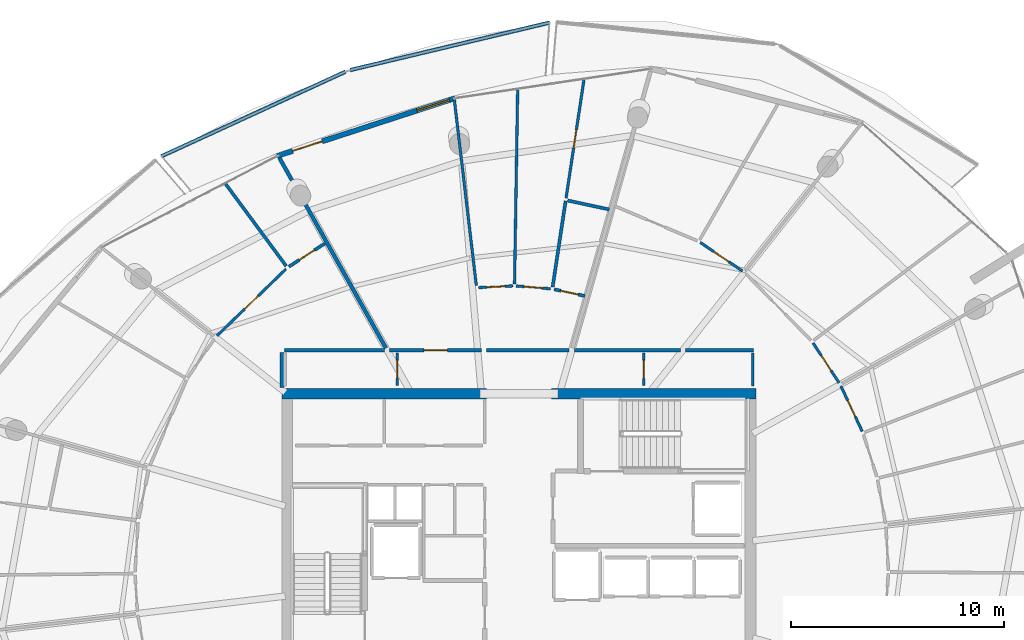
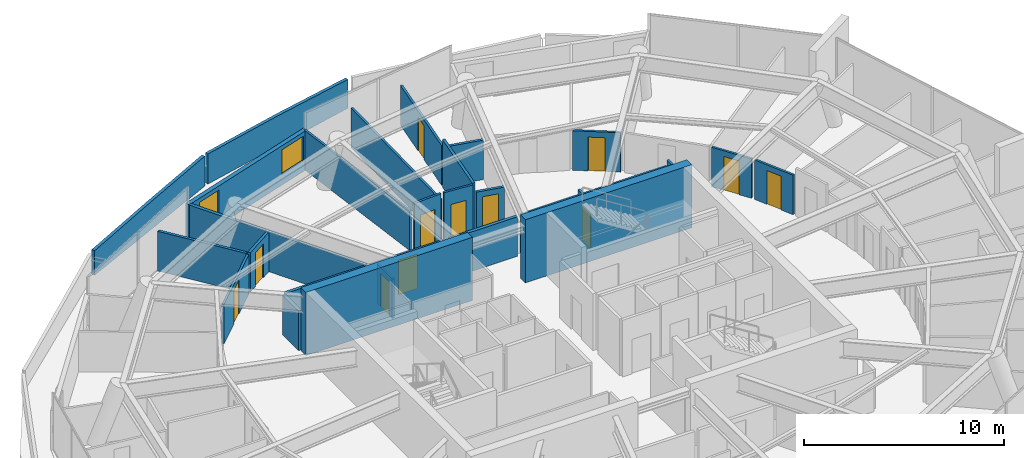
# One storey, part 18 of 24: 29 walls, 13 doors, 1 window, 14 openings.
"""IFC4 building model written with IfcOpenShell, lengths in metres."""

from ifc_helpers import new_model, si_unit, direction, frame, frame_2d, origin, place, context, subcontext, project, spatial, polyline, rectangle, outline, extrude, material, layer, layer_set, type_object, element, fill, save


model = new_model("IFC4")

# Units and contexts
model_context = context("Model", 3, precision=1e-05, world=origin(), true_north=direction((0.0, 1.0)))
body_context = subcontext(model_context, "Body", "Model", "MODEL_VIEW")
ifc_project = project(units=[si_unit("LENGTHUNIT", "METRE"), si_unit("AREAUNIT", "SQUARE_METRE"), si_unit("VOLUMEUNIT", "CUBIC_METRE"), si_unit("PLANEANGLEUNIT", "RADIAN"), si_unit("MASSUNIT", "GRAM", prefix="KILO")], contexts=[model_context])

# Site, building, storey
site_placement = place(None, origin())
site = spatial("IfcSite", under=ifc_project, at=site_placement, CompositionType="ELEMENT")
building_placement = place(site_placement, origin())
building = spatial("IfcBuilding", under=site, at=building_placement, Name="Kazma Halo Residences", CompositionType="ELEMENT")
storey_placement = place(building_placement, frame((0.0, 0.0, 309.85009765625)))
storey = spatial("IfcBuildingStorey", under=building, at=storey_placement, Name="L78", CompositionType="ELEMENT", Elevation=309.85009765625)

# Walls
ifc_material_1 = material(Name="White Concrete C50/60 Balustrade", Category="concrete")
ifc_layer_1 = layer(ifc_material_1, 0.179931640625)
ifc_layer_set_1 = layer_set([ifc_layer_1], Name="White Concrete C50/60 Balustrade")
wall_type_1 = type_object("IfcWallType", Name="WL-BAL-WAVE-180", PredefinedType="PARAPET", material=ifc_layer_set_1)
wall_1_placement = place(storey_placement, frame((49.863525390625, 67.684326171875, 0.0), z_axis=(0.0, 0.0, 1.0), x_axis=(-0.972832619501, -0.231509599012, 0.0)))
element("IfcWall", 1, at=wall_1_placement, inside=storey, type_object=wall_type_1, Name="L78 white wave balustrade wall NNW.1", PredefinedType="PARAPET", context=body_context, shape_type="SweptSolid", body=[
    extrude(outline(polyline([(0.0, 0.0), (9.620849609375, 0.0), (9.620849609375, 1.831787109375), (4.810546875, 1.852783203125), (0.0, 1.755859375), (0.0, 0.0)])), frame((0.0, 0.08984375, 0.0), z_axis=(0.0, -1.0, 0.0), x_axis=(1.0, 0.0, 0.0)), (0.0, 0.0, 1.0), 0.179931640625),
])
wall_2_placement = place(storey_placement, frame((40.2783203125, 65.379150390625, 0.0), z_axis=(0.0, 0.0, 1.0), x_axis=(-0.908633177333, -0.417595197589, 0.0)))
element("IfcWall", 2, at=wall_2_placement, inside=storey, type_object=wall_type_1, Name="L78 white wave balustrade wall NNW.2", PredefinedType="PARAPET", context=body_context, shape_type="SweptSolid", body=[
    extrude(outline(polyline([(0.0, 0.0), (9.517333984375, 0.0), (9.517333984375, 1.496826171875), (4.7587890625, 1.69580078125), (0.0, 1.831787109375), (0.0, 0.0)])), frame((0.0, 0.08984375, 0.0), z_axis=(0.0, -1.0, 0.0), x_axis=(1.0, 0.0, 0.0)), (0.0, 0.0, 1.0), 0.179931640625),
])
ifc_material_2 = material(Name="Concrete C60/75", Category="concrete")
ifc_layer_2 = layer(ifc_material_2, 0.5)
ifc_layer_set_2 = layer_set([ifc_layer_2], Name="Concrete C60/75")
wall_type_2 = type_object("IfcWallType", Name="WL-CORE-500", PredefinedType="SHEAR", material=ifc_layer_set_2)
wall_3_placement = place(storey_placement, frame((37.300048828125, 50.25, 0.0), z_axis=(0.0, 0.0, 1.0), x_axis=(1.0, 0.0, 0.0)))
element("IfcWall", 3, at=wall_3_placement, inside=storey, type_object=wall_type_2, Name="L78 central core shear wall NW", PredefinedType="SHEAR", context=body_context, shape_type="SweptSolid", body=[
    extrude(rectangle(XDim=9.599853515625, YDim=0.5, at=frame_2d((4.7998046875, 0.0))), origin(), (0.0, 0.0, 1.0), 3.849853515625),
])
wall_4_placement = place(storey_placement, frame((49.949951171875, 50.25, 0.0), z_axis=(0.0, 0.0, 1.0), x_axis=(1.0, 0.0, 0.0)))
element("IfcWall", 4, at=wall_4_placement, inside=storey, type_object=wall_type_2, Name="L78 central core shear wall NE", PredefinedType="SHEAR", context=body_context, shape_type="SweptSolid", body=[
    extrude(rectangle(XDim=9.60009765625, YDim=0.5, at=frame_2d((4.800048828125, 0.0))), origin(), (0.0, 0.0, 1.0), 3.849853515625),
])
ifc_material_3 = material(Name="Acoustic Twin-Stud Gypsum")
ifc_layer_3 = layer(ifc_material_3, 0.179931640625)
ifc_layer_set_3 = layer_set([ifc_layer_3], Name="Acoustic Twin-Stud Gypsum")
wall_type_3 = type_object("IfcWallType", Name="WL-DEM-180", PredefinedType="PARTITIONING", material=ifc_layer_set_3)
wall_5_placement = place(storey_placement, frame((42.177978515625, 52.39599609375, 0.0), z_axis=(0.0, 0.0, 1.0), x_axis=(-0.48861353883, 0.872500320729, 0.0)))
element("IfcWall", 5, at=wall_5_placement, inside=storey, type_object=wall_type_3, Name="L78 apartment demising radial wall 04", PredefinedType="PARTITIONING", context=body_context, shape_type="SweptSolid", body=[
    extrude(rectangle(XDim=10.234130859375, YDim=0.179931640625, at=frame_2d((5.1171875, 0.0))), origin(), (0.0, 0.0, 1.0), 2.406982421875),
])

# Wall, opening, door
wall_6_placement = place(storey_placement, frame((46.660888671875, 52.300048828125, 0.0), z_axis=(0.0, 0.0, 1.0), x_axis=(-1.0, 0.0, 0.0)))
wall_6 = element("IfcWall", 6, at=wall_6_placement, inside=storey, type_object=wall_type_3, Name="L78 Apartment 1 entrance corridor wall", PredefinedType="PARTITIONING", context=body_context, shape_type="SweptSolid", body=[
    extrude(rectangle(XDim=4.30908203125, YDim=0.179931640625, at=frame_2d((2.154541015625, 0.0))), origin(), (0.0, 0.0, 1.0), 2.406982421875),
])
opening_1_placement = place(wall_6_placement, frame((1.6044921875, 0.0, 0.0)))
opening_1 = element("IfcOpeningElement", 7, at=opening_1_placement, cuts=wall_6, Name="Opening DA-1100", PredefinedType="OPENING", context=body_context, shape_type="SweptSolid", body=[
    extrude(rectangle(XDim=1.10009765625, YDim=2.10009765625, at=frame_2d((0.550048828125, 1.050048828125))), frame((0.0, 0.099853515625, 0.0), z_axis=(0.0, -1.0, 0.0), x_axis=(1.0, 0.0, 0.0)), (0.0, 0.0, 1.0), 0.199951171875),
])
ifc_material_4 = material(Name="Acoustic Walnut Fire Leaf")
door_type_1 = type_object("IfcDoorType", Name="DR-FD60-1100", OperationType="NOTDEFINED", PredefinedType="DOOR", material=ifc_material_4)
door_1_placement = place(opening_1_placement, origin())
door_1 = element("IfcDoor", 8, at=door_1_placement, inside=storey, type_object=door_type_1, Name="L78 Apartment 1 entrance fire door", OperationType="SINGLE_SWING_RIGHT", OverallHeight=2.10009765625, OverallWidth=1.10009765625, PredefinedType="DOOR", context=body_context, shape_type="SweptSolid", body=[
    extrude(rectangle(XDim=1.10009765625, YDim=2.10009765625, at=frame_2d((0.550048828125, 1.050048828125))), frame((0.0, 0.02490234375, 0.0), z_axis=(0.0, -1.0, 0.0), x_axis=(1.0, 0.0, 0.0)), (0.0, 0.0, 1.0), 0.050048828125),
])
fill(opening_1, door_1)

# Walls
wall_7_placement = place(storey_placement, frame((50.784912109375, 52.300048828125, 0.0), z_axis=(0.0, 0.0, 1.0), x_axis=(-1.0, 0.0, 0.0)))
element("IfcWall", 9, at=wall_7_placement, inside=storey, type_object=wall_type_3, Name="L78 Apartment 1 inner wall 2", PredefinedType="PARTITIONING", context=body_context, shape_type="SweptSolid", body=[
    extrude(rectangle(XDim=3.884033203125, YDim=0.179931640625, at=frame_2d((1.94189453125, 0.0))), origin(), (0.0, 0.0, 1.0), 2.406982421875),
])
wall_8_placement = place(storey_placement, frame((42.11181640625, 52.300048828125, 0.0), z_axis=(0.0, 0.0, 1.0), x_axis=(-1.0, 0.0, 0.0)))
element("IfcWall", 10, at=wall_8_placement, inside=storey, type_object=wall_type_3, Name="L78 Apartment 2 inner wall 4", PredefinedType="PARTITIONING", context=body_context, shape_type="SweptSolid", body=[
    extrude(rectangle(XDim=4.69189453125, YDim=0.179931640625, at=frame_2d((2.345947265625, 0.0))), origin(), (0.0, 0.0, 1.0), 2.406982421875),
])
wall_9_placement = place(storey_placement, frame((37.300048828125, 52.179931640625, 0.0), z_axis=(0.0, 0.0, 1.0), x_axis=(0.0, -1.0, 0.0)))
element("IfcWall", 11, at=wall_9_placement, inside=storey, type_object=wall_type_3, Name="L78 Apartment 2 inner wall 4", PredefinedType="PARTITIONING", context=body_context, shape_type="SweptSolid", body=[
    extrude(rectangle(XDim=1.624755859375, YDim=0.179931640625, at=frame_2d((0.8125, 0.0))), origin(), (0.0, 0.0, 1.0), 2.406982421875),
])
wall_10_placement = place(storey_placement, frame((59.429931640625, 52.300048828125, 0.0), z_axis=(0.0, 0.0, 1.0), x_axis=(-1.0, 0.0, 0.0)))
element("IfcWall", 12, at=wall_10_placement, inside=storey, type_object=wall_type_3, Name="L78 Apartment 4 inner wall 0", PredefinedType="PARTITIONING", context=body_context, shape_type="SweptSolid", body=[
    extrude(rectangle(XDim=3.18994140625, YDim=0.179931640625, at=frame_2d((1.594970703125, 0.0))), origin(), (0.0, 0.0, 1.0), 2.406982421875),
])
wall_11_placement = place(storey_placement, frame((56.0, 52.300048828125, 0.0), z_axis=(0.0, 0.0, 1.0), x_axis=(-1.0, 0.0, 0.0)))
element("IfcWall", 13, at=wall_11_placement, inside=storey, type_object=wall_type_3, Name="L78 Apartment 4 inner wall 1", PredefinedType="PARTITIONING", context=body_context, shape_type="SweptSolid", body=[
    extrude(rectangle(XDim=4.97509765625, YDim=0.179931640625, at=frame_2d((2.487548828125, 0.0))), origin(), (0.0, 0.0, 1.0), 2.406982421875),
])

# Wall, openings, door, window
ifc_material_5 = material(Name="Insulated Pale-Metal Composite Wall")
ifc_layer_4 = layer(ifc_material_5, 0.239990234375)
ifc_layer_set_4 = layer_set([ifc_layer_4], Name="Insulated Pale-Metal Composite Wall")
wall_type_4 = type_object("IfcWallType", Name="WL-EXT-HOST-240", PredefinedType="SOLIDWALL", material=ifc_layer_set_4)
wall_12_placement = place(storey_placement, frame((45.429443359375, 64.135498046875, 0.0), z_axis=(0.0, 0.0, 1.0), x_axis=(-0.951049986024, -0.309037091762, 0.0)))
wall_12 = element("IfcWall", 14, at=wall_12_placement, inside=storey, type_object=wall_type_4, Name="L78 exterior terrace-access wall B04", PredefinedType="SOLIDWALL", context=body_context, shape_type="SweptSolid", body=[
    extrude(rectangle(XDim=8.791259765625, YDim=0.239990234375, at=frame_2d((4.3955078125, 0.0))), origin(), (0.0, 0.0, 1.0), 2.39990234375),
])
opening_2_placement = place(wall_12_placement, frame((6.571044921875, 0.0, 0.0)))
opening_2 = element("IfcOpeningElement", 15, at=opening_2_placement, cuts=wall_12, Name="Opening DTR-1600", PredefinedType="OPENING", context=body_context, shape_type="SweptSolid", body=[
    extrude(rectangle(XDim=1.449951171875, YDim=2.14990234375, at=frame_2d((0.72509765625, 1.074951171875))), frame((0.0, 0.1298828125, 0.0), z_axis=(0.0, -1.0, 0.0), x_axis=(1.0, 0.0, 0.0)), (0.0, 0.0, 1.0), 0.260009765625),
])
opening_3_placement = place(wall_12_placement, frame((0.280029296875, 0.0, 0.64990234375)))
opening_3 = element("IfcOpeningElement", 16, at=opening_3_placement, cuts=wall_12, Name="Opening W-1800", PredefinedType="OPENING", context=body_context, shape_type="SweptSolid", body=[
    extrude(rectangle(XDim=1.60009765625, YDim=1.5, at=frame_2d((0.800048828125, 0.75))), frame((0.0, 0.1298828125, 0.0), z_axis=(0.0, -1.0, 0.0), x_axis=(1.0, 0.0, 0.0)), (0.0, 0.0, 1.0), 0.260009765625),
])
ifc_material_6 = material(Name="Aluminium AW-6063 T6 Double-Glazed Terrace Door", Category="aluminium")
door_type_2 = type_object("IfcDoorType", Name="DR-EXT-TERR-1600", OperationType="NOTDEFINED", PredefinedType="DOOR", material=ifc_material_6)
door_2_placement = place(opening_2_placement, origin())
door_2 = element("IfcDoor", 17, at=door_2_placement, inside=storey, type_object=door_type_2, Name="L78 B04 balcony terrace door", OperationType="DOUBLE_DOOR_SLIDING", OverallHeight=2.14990234375, OverallWidth=1.449951171875, PredefinedType="DOOR", context=body_context, shape_type="SweptSolid", body=[
    extrude(rectangle(XDim=1.449951171875, YDim=2.14990234375, at=frame_2d((0.72509765625, 1.074951171875))), frame((0.0, 0.02490234375, 0.0), z_axis=(0.0, -1.0, 0.0), x_axis=(1.0, 0.0, 0.0)), (0.0, 0.0, 1.0), 0.050048828125),
])
fill(opening_2, door_2)
ifc_material_7 = material(Name="Clear Triple-Silver Low-E Glass in Aluminium AW-6063 T6 Frame", Category="aluminium")
window_type = type_object("IfcWindowType", Name="WIN-RES-1800", PartitioningType="DOUBLE_PANEL_VERTICAL", PredefinedType="WINDOW", material=ifc_material_7)
window_placement = place(opening_3_placement, origin())
window = element("IfcWindow", 18, at=window_placement, inside=storey, type_object=window_type, Name="L78 B04 apartment window", OverallHeight=1.5, OverallWidth=1.60009765625, PartitioningType="SINGLE_PANEL", PredefinedType="WINDOW", context=body_context, shape_type="SweptSolid", body=[
    extrude(rectangle(XDim=1.60009765625, YDim=1.5, at=frame_2d((0.800048828125, 0.75))), frame((0.0, 0.030029296875, 0.0), z_axis=(0.0, -1.0, 0.0), x_axis=(1.0, 0.0, 0.0)), (0.0, 0.0, 1.0), 0.06005859375),
])
fill(opening_3, window)

# Wall
ifc_material_8 = material(Name="Gypsum Plasterboard Partition")
ifc_layer_5 = layer(ifc_material_8, 0.125)
ifc_layer_set_5 = layer_set([ifc_layer_5], Name="Gypsum Plasterboard Partition")
wall_type_5 = type_object("IfcWallType", Name="WL-PART-125", PredefinedType="PARTITIONING", material=ifc_layer_set_5)
wall_13_placement = place(storey_placement, frame((59.409912109375, 50.6201171875, 0.0), z_axis=(0.0, 0.0, 1.0), x_axis=(0.0, 1.0, 0.0)))
element("IfcWall", 19, at=wall_13_placement, inside=storey, type_object=wall_type_5, Name="L78 east cupboard end wall", PredefinedType="PARTITIONING", context=body_context, shape_type="SweptSolid", body=[
    extrude(rectangle(XDim=1.539794921875, YDim=0.125, at=frame_2d((0.77001953125, 0.0))), origin(), (0.0, 0.0, 1.0), 2.889892578125),
])

# Wall, opening, door
wall_14_placement = place(storey_placement, frame((42.7099609375, 50.639892578125, 0.0), z_axis=(0.0, 0.0, 1.0), x_axis=(0.0, 1.0, 0.0)))
wall_14 = element("IfcWall", 20, at=wall_14_placement, inside=storey, type_object=wall_type_5, Name="L78 floor linen store door wall", PredefinedType="PARTITIONING", context=body_context, shape_type="SweptSolid", body=[
    extrude(rectangle(XDim=1.52001953125, YDim=0.125, at=frame_2d((0.760009765625, 0.0))), origin(), (0.0, 0.0, 1.0), 2.406982421875),
])
opening_4_placement = place(wall_14_placement, frame((0.3349609375, 0.0, 0.0)))
opening_4 = element("IfcOpeningElement", 21, at=opening_4_placement, cuts=wall_14, Name="Opening DS-850", PredefinedType="OPENING", context=body_context, shape_type="SweptSolid", body=[
    extrude(rectangle(XDim=0.85009765625, YDim=2.06005859375, at=frame_2d((0.425048828125, 1.030029296875))), frame((0.0, 0.072509765625, 0.0), z_axis=(0.0, -1.0, 0.0), x_axis=(1.0, 0.0, 0.0)), (0.0, 0.0, 1.0), 0.14501953125),
])
ifc_material_9 = material(Name="Painted Steel Access Leaf", Category="steel")
door_type_3 = type_object("IfcDoorType", Name="DR-SVC-850", OperationType="NOTDEFINED", PredefinedType="DOOR", material=ifc_material_9)
door_3_placement = place(opening_4_placement, origin())
door_3 = element("IfcDoor", 22, at=door_3_placement, inside=storey, type_object=door_type_3, Name="L78 floor linen store door", OperationType="SINGLE_SWING_LEFT", OverallHeight=2.06005859375, OverallWidth=0.85009765625, PredefinedType="DOOR", context=body_context, shape_type="SweptSolid", body=[
    extrude(rectangle(XDim=0.85009765625, YDim=2.06005859375, at=frame_2d((0.425048828125, 1.030029296875))), frame((0.0, 0.02490234375, 0.0), z_axis=(0.0, -1.0, 0.0), x_axis=(1.0, 0.0, 0.0)), (0.0, 0.0, 1.0), 0.050048828125),
])
fill(opening_4, door_3)

wall_15_placement = place(storey_placement, frame((54.2900390625, 50.639892578125, 0.0), z_axis=(0.0, 0.0, 1.0), x_axis=(0.0, 1.0, 0.0)))
wall_15 = element("IfcWall", 23, at=wall_15_placement, inside=storey, type_object=wall_type_5, Name="L78 floor metering cupboard door wall", PredefinedType="PARTITIONING", context=body_context, shape_type="SweptSolid", body=[
    extrude(rectangle(XDim=1.52001953125, YDim=0.125, at=frame_2d((0.760009765625, 0.0))), origin(), (0.0, 0.0, 1.0), 2.889892578125),
])
opening_5_placement = place(wall_15_placement, frame((0.3349609375, 0.0, 0.0)))
opening_5 = element("IfcOpeningElement", 24, at=opening_5_placement, cuts=wall_15, Name="Opening DS-850", PredefinedType="OPENING", context=body_context, shape_type="SweptSolid", body=[
    extrude(rectangle(XDim=0.85009765625, YDim=2.06005859375, at=frame_2d((0.425048828125, 1.030029296875))), frame((0.0, 0.072509765625, 0.0), z_axis=(0.0, -1.0, 0.0), x_axis=(1.0, 0.0, 0.0)), (0.0, 0.0, 1.0), 0.14501953125),
])
door_4_placement = place(opening_5_placement, origin())
door_4 = element("IfcDoor", 25, at=door_4_placement, inside=storey, type_object=door_type_3, Name="L78 floor cupboard door", OperationType="SINGLE_SWING_RIGHT", OverallHeight=2.06005859375, OverallWidth=0.85009765625, PredefinedType="DOOR", context=body_context, shape_type="SweptSolid", body=[
    extrude(rectangle(XDim=0.85009765625, YDim=2.06005859375, at=frame_2d((0.425048828125, 1.030029296875))), frame((0.0, 0.02490234375, 0.0), z_axis=(0.0, -1.0, 0.0), x_axis=(1.0, 0.0, 0.0)), (0.0, 0.0, 1.0), 0.050048828125),
])
fill(opening_5, door_4)

# Wall
wall_16_placement = place(storey_placement, frame((46.422119140625, 55.331787109375, 0.0), z_axis=(0.0, 0.0, 1.0), x_axis=(-0.117525031954, 0.993069920431, 0.0)))
element("IfcWall", 26, at=wall_16_placement, inside=storey, type_object=wall_type_5, Name="L78 Apartment 1 living radial partition 2", PredefinedType="PARTITIONING", context=body_context, shape_type="SweptSolid", body=[
    extrude(rectangle(XDim=8.824462890625, YDim=0.125, at=frame_2d((4.412109375, 0.0))), origin(), (0.0, 0.0, 1.0), 2.406982421875),
])

# Wall, opening, door
wall_17_placement = place(storey_placement, frame((50.635498046875, 59.43701171875, 0.0), z_axis=(0.0, 0.0, 1.0), x_axis=(0.149483487693, 0.988764222101, 0.0)))
wall_17 = element("IfcWall", 27, at=wall_17_placement, inside=storey, type_object=wall_type_5, Name="L78 Apartment 1 Household Store Room partition wall", PredefinedType="PARTITIONING", context=body_context, shape_type="SweptSolid", body=[
    extrude(rectangle(XDim=5.6396484375, YDim=0.125, at=frame_2d((2.81982421875, 0.0))), origin(), (0.0, 0.0, 1.0), 2.4248046875),
])
opening_6_placement = place(wall_17_placement, frame((2.394775390625, 0.0, 0.0)))
opening_6 = element("IfcOpeningElement", 28, at=opening_6_placement, cuts=wall_17, Name="Opening DB-900", PredefinedType="OPENING", context=body_context, shape_type="SweptSolid", body=[
    extrude(rectangle(XDim=0.85009765625, YDim=2.06005859375, at=frame_2d((0.425048828125, 1.030029296875))), frame((0.0, 0.072509765625, 0.0), z_axis=(0.0, -1.0, 0.0), x_axis=(1.0, 0.0, 0.0)), (0.0, 0.0, 1.0), 0.14501953125),
])
ifc_material_10 = material(Name="Moisture-Sealed Timber Leaf", Category="wood")
door_type_4 = type_object("IfcDoorType", Name="DR-BTH-900", OperationType="NOTDEFINED", PredefinedType="DOOR", material=ifc_material_10)
door_5_placement = place(opening_6_placement, origin())
door_5 = element("IfcDoor", 29, at=door_5_placement, inside=storey, type_object=door_type_4, Name="L78 Apartment 1 Household Store Room door", OperationType="SINGLE_SWING_RIGHT", OverallHeight=2.06005859375, OverallWidth=0.85009765625, PredefinedType="DOOR", context=body_context, shape_type="SweptSolid", body=[
    extrude(rectangle(XDim=0.85009765625, YDim=2.06005859375, at=frame_2d((0.425048828125, 1.030029296875))), frame((0.0, 0.02490234375, 0.0), z_axis=(0.0, -1.0, 0.0), x_axis=(1.0, 0.0, 0.0)), (0.0, 0.0, 1.0), 0.050048828125),
])
fill(opening_6, door_5)

# Wall
wall_18_placement = place(storey_placement, frame((48.2158203125, 55.413330078125, 0.0), z_axis=(0.0, 0.0, 1.0), x_axis=(0.016121761369, 0.99987003596, 0.0)))
element("IfcWall", 30, at=wall_18_placement, inside=storey, type_object=wall_type_5, Name="L78 Apartment 1 suite divider 2", PredefinedType="PARTITIONING", context=body_context, shape_type="SweptSolid", body=[
    extrude(rectangle(XDim=9.131591796875, YDim=0.125, at=frame_2d((4.56591796875, 0.0))), origin(), (0.0, 0.0, 1.0), 2.4248046875),
])

# Wall, opening, door
wall_19_placement = place(storey_placement, frame((49.901611328125, 55.182861328125, 0.0), z_axis=(0.0, 0.0, 1.0), x_axis=(-0.996554104102, 0.082945268689, 0.0)))
wall_19 = element("IfcWall", 31, at=wall_19_placement, inside=storey, type_object=wall_type_5, Name="L78 Apartment 1 Gourmet Kitchen hall wall", PredefinedType="PARTITIONING", context=body_context, shape_type="SweptSolid", body=[
    extrude(rectangle(XDim=1.613037109375, YDim=0.125, at=frame_2d((0.806640625, 0.0))), origin(), (0.0, 0.0, 1.0), 2.889892578125),
])
opening_7_placement = place(wall_19_placement, frame((0.381591796875, 0.0, 0.0)))
opening_7 = element("IfcOpeningElement", 32, at=opening_7_placement, cuts=wall_19, Name="Opening DB-900", PredefinedType="OPENING", context=body_context, shape_type="SweptSolid", body=[
    extrude(rectangle(XDim=0.85009765625, YDim=2.06005859375, at=frame_2d((0.425048828125, 1.030029296875))), frame((0.0, 0.072509765625, 0.0), z_axis=(0.0, -1.0, 0.0), x_axis=(1.0, 0.0, 0.0)), (0.0, 0.0, 1.0), 0.14501953125),
])
door_6_placement = place(opening_7_placement, origin())
door_6 = element("IfcDoor", 33, at=door_6_placement, inside=storey, type_object=door_type_4, Name="L78 Apartment 1 Gourmet Kitchen door", OperationType="SINGLE_SWING_LEFT", OverallHeight=2.06005859375, OverallWidth=0.85009765625, PredefinedType="DOOR", context=body_context, shape_type="SweptSolid", body=[
    extrude(rectangle(XDim=0.85009765625, YDim=2.06005859375, at=frame_2d((0.425048828125, 1.030029296875))), frame((0.0, 0.02490234375, 0.0), z_axis=(0.0, -1.0, 0.0), x_axis=(1.0, 0.0, 0.0)), (0.0, 0.0, 1.0), 0.050048828125),
])
fill(opening_7, door_6)

wall_20_placement = place(storey_placement, frame((48.134521484375, 55.319091796875, 0.0), z_axis=(0.0, 0.0, 1.0), x_axis=(-0.998712909723, -0.050720054741, 0.0)))
wall_20 = element("IfcWall", 34, at=wall_20_placement, inside=storey, type_object=wall_type_5, Name="L78 Apartment 1 Primary Bedroom hall wall", PredefinedType="PARTITIONING", context=body_context, shape_type="SweptSolid", body=[
    extrude(rectangle(XDim=1.602783203125, YDim=0.125, at=frame_2d((0.80126953125, 0.0))), origin(), (0.0, 0.0, 1.0), 2.889892578125),
])
opening_8_placement = place(wall_20_placement, frame((0.37646484375, 0.0, 0.0)))
opening_8 = element("IfcOpeningElement", 35, at=opening_8_placement, cuts=wall_20, Name="Opening DB-900", PredefinedType="OPENING", context=body_context, shape_type="SweptSolid", body=[
    extrude(rectangle(XDim=0.85009765625, YDim=2.06005859375, at=frame_2d((0.425048828125, 1.030029296875))), frame((0.0, 0.072509765625, 0.0), z_axis=(0.0, -1.0, 0.0), x_axis=(1.0, 0.0, 0.0)), (0.0, 0.0, 1.0), 0.14501953125),
])
door_7_placement = place(opening_8_placement, origin())
door_7 = element("IfcDoor", 36, at=door_7_placement, inside=storey, type_object=door_type_4, Name="L78 Apartment 1 Primary Bedroom door", OperationType="SINGLE_SWING_RIGHT", OverallHeight=2.06005859375, OverallWidth=0.85009765625, PredefinedType="DOOR", context=body_context, shape_type="SweptSolid", body=[
    extrude(rectangle(XDim=0.85009765625, YDim=2.06005859375, at=frame_2d((0.425048828125, 1.030029296875))), frame((0.0, 0.02490234375, 0.0), z_axis=(0.0, -1.0, 0.0), x_axis=(1.0, 0.0, 0.0)), (0.0, 0.0, 1.0), 0.050048828125),
])
fill(opening_8, door_7)

wall_21_placement = place(storey_placement, frame((37.48291015625, 56.1123046875, 0.0), z_axis=(0.0, 0.0, 1.0), x_axis=(-0.718429445944, -0.695599835538, 0.0)))
wall_21 = element("IfcWall", 37, at=wall_21_placement, inside=storey, type_object=wall_type_5, Name="L78 Apartment 2 Gourmet Kitchen hall wall", PredefinedType="PARTITIONING", context=body_context, shape_type="SweptSolid", body=[
    extrude(rectangle(XDim=4.512939453125, YDim=0.125, at=frame_2d((2.25634765625, 0.0))), origin(), (0.0, 0.0, 1.0), 2.406982421875),
])
opening_9_placement = place(wall_21_placement, frame((1.806396484375, 0.0, 0.0)))
opening_9 = element("IfcOpeningElement", 38, at=opening_9_placement, cuts=wall_21, Name="Opening DI-950", PredefinedType="OPENING", context=body_context, shape_type="SweptSolid", body=[
    extrude(rectangle(XDim=0.89990234375, YDim=2.080078125, at=frame_2d((0.449951171875, 1.0400390625))), frame((0.0, 0.072509765625, 0.0), z_axis=(0.0, -1.0, 0.0), x_axis=(1.0, 0.0, 0.0)), (0.0, 0.0, 1.0), 0.14501953125),
])
ifc_material_11 = material(Name="Timber Veneer Flush Leaf", Category="wood")
door_type_5 = type_object("IfcDoorType", Name="DR-INT-950", OperationType="NOTDEFINED", PredefinedType="DOOR", material=ifc_material_11)
door_8_placement = place(opening_9_placement, origin())
door_8 = element("IfcDoor", 39, at=door_8_placement, inside=storey, type_object=door_type_5, Name="L78 Apartment 2 Gourmet Kitchen door", OperationType="SINGLE_SWING_LEFT", OverallHeight=2.080078125, OverallWidth=0.89990234375, PredefinedType="DOOR", context=body_context, shape_type="SweptSolid", body=[
    extrude(rectangle(XDim=0.89990234375, YDim=2.080078125, at=frame_2d((0.449951171875, 1.0400390625))), frame((0.0, 0.02490234375, 0.0), z_axis=(0.0, -1.0, 0.0), x_axis=(1.0, 0.0, 0.0)), (0.0, 0.0, 1.0), 0.050048828125),
])
fill(opening_9, door_8)

wall_22_placement = place(storey_placement, frame((64.54443359375, 48.486083984375, 0.0), z_axis=(0.0, 0.0, 1.0), x_axis=(-0.425692004013, 0.904868121728, 0.0)))
wall_22 = element("IfcWall", 40, at=wall_22_placement, inside=storey, type_object=wall_type_5, Name="L78 Apartment 4 Inner Bedroom hall wall", PredefinedType="PARTITIONING", context=body_context, shape_type="SweptSolid", body=[
    extrude(rectangle(XDim=2.350830078125, YDim=0.125, at=frame_2d((1.17529296875, 0.0))), origin(), (0.0, 0.0, 1.0), 2.406982421875),
])
opening_10_placement = place(wall_22_placement, frame((0.75048828125, 0.0, 0.0)))
opening_10 = element("IfcOpeningElement", 41, at=opening_10_placement, cuts=wall_22, Name="Opening DB-900", PredefinedType="OPENING", context=body_context, shape_type="SweptSolid", body=[
    extrude(rectangle(XDim=0.85009765625, YDim=2.06005859375, at=frame_2d((0.425048828125, 1.030029296875))), frame((0.0, 0.072509765625, 0.0), z_axis=(0.0, -1.0, 0.0), x_axis=(1.0, 0.0, 0.0)), (0.0, 0.0, 1.0), 0.14501953125),
])
door_9_placement = place(opening_10_placement, origin())
door_9 = element("IfcDoor", 42, at=door_9_placement, inside=storey, type_object=door_type_4, Name="L78 Apartment 4 Inner Bedroom door", OperationType="SINGLE_SWING_LEFT", OverallHeight=2.06005859375, OverallWidth=0.85009765625, PredefinedType="DOOR", context=body_context, shape_type="SweptSolid", body=[
    extrude(rectangle(XDim=0.85009765625, YDim=2.06005859375, at=frame_2d((0.425048828125, 1.030029296875))), frame((0.0, 0.02490234375, 0.0), z_axis=(0.0, -1.0, 0.0), x_axis=(1.0, 0.0, 0.0)), (0.0, 0.0, 1.0), 0.050048828125),
])
fill(opening_10, door_9)

wall_23_placement = place(storey_placement, frame((63.454833984375, 50.769287109375, 0.0), z_axis=(0.0, 0.0, 1.0), x_axis=(-0.546754496642, 0.837292971666, 0.0)))
wall_23 = element("IfcWall", 43, at=wall_23_placement, inside=storey, type_object=wall_type_5, Name="L78 Apartment 4 Outer Dressing Wardrobe hall wall", PredefinedType="PARTITIONING", context=body_context, shape_type="SweptSolid", body=[
    extrude(rectangle(XDim=2.233642578125, YDim=0.125, at=frame_2d((1.11669921875, 0.0))), origin(), (0.0, 0.0, 1.0), 2.406982421875),
])
opening_11_placement = place(wall_23_placement, frame((0.691650390625, 0.0, 0.0)))
opening_11 = element("IfcOpeningElement", 44, at=opening_11_placement, cuts=wall_23, Name="Opening DB-900", PredefinedType="OPENING", context=body_context, shape_type="SweptSolid", body=[
    extrude(rectangle(XDim=0.85009765625, YDim=2.06005859375, at=frame_2d((0.425048828125, 1.030029296875))), frame((0.0, 0.072509765625, 0.0), z_axis=(0.0, -1.0, 0.0), x_axis=(1.0, 0.0, 0.0)), (0.0, 0.0, 1.0), 0.14501953125),
])
door_10_placement = place(opening_11_placement, origin())
door_10 = element("IfcDoor", 45, at=door_10_placement, inside=storey, type_object=door_type_4, Name="L78 Apartment 4 Outer Dressing Wardrobe door", OperationType="SINGLE_SWING_LEFT", OverallHeight=2.06005859375, OverallWidth=0.85009765625, PredefinedType="DOOR", context=body_context, shape_type="SweptSolid", body=[
    extrude(rectangle(XDim=0.85009765625, YDim=2.06005859375, at=frame_2d((0.425048828125, 1.030029296875))), frame((0.0, 0.02490234375, 0.0), z_axis=(0.0, -1.0, 0.0), x_axis=(1.0, 0.0, 0.0)), (0.0, 0.0, 1.0), 0.050048828125),
])
fill(opening_11, door_10)

wall_24_placement = place(storey_placement, frame((58.922119140625, 56.015869140625, 0.0), z_axis=(0.0, 0.0, 1.0), x_axis=(-0.828165395441, 0.560483789055, 0.0)))
wall_24 = element("IfcWall", 46, at=wall_24_placement, inside=storey, type_object=wall_type_5, Name="L78 Apartment 4 Garden Private Study hall wall", PredefinedType="PARTITIONING", context=body_context, shape_type="SweptSolid", body=[
    extrude(rectangle(XDim=2.400634765625, YDim=0.125, at=frame_2d((1.2001953125, 0.0))), origin(), (0.0, 0.0, 1.0), 2.406982421875),
])
opening_12_placement = place(wall_24_placement, frame((0.775390625, 0.0, 0.0)))
opening_12 = element("IfcOpeningElement", 47, at=opening_12_placement, cuts=wall_24, Name="Opening DB-900", PredefinedType="OPENING", context=body_context, shape_type="SweptSolid", body=[
    extrude(rectangle(XDim=0.85009765625, YDim=2.06005859375, at=frame_2d((0.425048828125, 1.030029296875))), frame((0.0, 0.072509765625, 0.0), z_axis=(0.0, -1.0, 0.0), x_axis=(1.0, 0.0, 0.0)), (0.0, 0.0, 1.0), 0.14501953125),
])
door_11_placement = place(opening_12_placement, origin())
door_11 = element("IfcDoor", 48, at=door_11_placement, inside=storey, type_object=door_type_4, Name="L78 Apartment 4 Garden Private Study door", OperationType="SINGLE_SWING_RIGHT", OverallHeight=2.06005859375, OverallWidth=0.85009765625, PredefinedType="DOOR", context=body_context, shape_type="SweptSolid", body=[
    extrude(rectangle(XDim=0.85009765625, YDim=2.06005859375, at=frame_2d((0.425048828125, 1.030029296875))), frame((0.0, 0.02490234375, 0.0), z_axis=(0.0, -1.0, 0.0), x_axis=(1.0, 0.0, 0.0)), (0.0, 0.0, 1.0), 0.050048828125),
])
fill(opening_12, door_11)

ifc_material_12 = material(Name="Moisture-Resistant Gypsum")
ifc_layer_6 = layer(ifc_material_12, 0.14990234375)
ifc_layer_set_6 = layer_set([ifc_layer_6], Name="Moisture-Resistant Gypsum")
wall_type_6 = type_object("IfcWallType", Name="WL-WET-150", PredefinedType="PARTITIONING", material=ifc_layer_set_6)
wall_25_placement = place(storey_placement, frame((51.51904296875, 54.845703125, 0.0), z_axis=(0.0, 0.0, 1.0), x_axis=(-0.977483516551, 0.211011788464, 0.0)))
wall_25 = element("IfcWall", 49, at=wall_25_placement, inside=storey, type_object=wall_type_6, Name="L78 Apartment 1 Guest Bathroom hall wall", PredefinedType="PARTITIONING", context=body_context, shape_type="SweptSolid", body=[
    extrude(rectangle(XDim=1.472900390625, YDim=0.14990234375, at=frame_2d((0.736328125, 0.0))), origin(), (0.0, 0.0, 1.0), 2.406982421875),
])
opening_13_placement = place(wall_25_placement, frame((0.311279296875, 0.0, 0.0)))
opening_13 = element("IfcOpeningElement", 50, at=opening_13_placement, cuts=wall_25, Name="Opening DB-900", PredefinedType="OPENING", context=body_context, shape_type="SweptSolid", body=[
    extrude(rectangle(XDim=0.85009765625, YDim=2.06005859375, at=frame_2d((0.425048828125, 1.030029296875))), frame((0.0, 0.0849609375, 0.0), z_axis=(0.0, -1.0, 0.0), x_axis=(1.0, 0.0, 0.0)), (0.0, 0.0, 1.0), 0.169921875),
])
door_12_placement = place(opening_13_placement, origin())
door_12 = element("IfcDoor", 51, at=door_12_placement, inside=storey, type_object=door_type_4, Name="L78 Apartment 1 Guest Bathroom door", OperationType="SINGLE_SWING_LEFT", OverallHeight=2.06005859375, OverallWidth=0.85009765625, PredefinedType="DOOR", context=body_context, shape_type="SweptSolid", body=[
    extrude(rectangle(XDim=0.85009765625, YDim=2.06005859375, at=frame_2d((0.425048828125, 1.030029296875))), frame((0.0, 0.02490234375, 0.0), z_axis=(0.0, -1.0, 0.0), x_axis=(1.0, 0.0, 0.0)), (0.0, 0.0, 1.0), 0.050048828125),
])
fill(opening_13, door_12)

# Walls
wall_26_placement = place(storey_placement, frame((52.66455078125, 58.907470703125, 0.0), z_axis=(0.0, 0.0, 1.0), x_axis=(-0.977510186352, 0.21088820635, 0.0)))
element("IfcWall", 52, at=wall_26_placement, inside=storey, type_object=wall_type_6, Name="L78 Apartment 1 Guest Bathroom back wall", PredefinedType="PARTITIONING", context=body_context, shape_type="SweptSolid", body=[
    extrude(rectangle(XDim=1.999267578125, YDim=0.14990234375, at=frame_2d((0.99951171875, 0.0))), origin(), (0.0, 0.0, 1.0), 2.406982421875),
])
wall_27_placement = place(storey_placement, frame((50.0048828125, 55.264404296875, 0.0), z_axis=(0.0, 0.0, 1.0), x_axis=(0.149472929776, 0.988765818212, 0.0)))
element("IfcWall", 53, at=wall_27_placement, inside=storey, type_object=wall_type_6, Name="L78 Apartment 1 Guest Bathroom side wall", PredefinedType="PARTITIONING", context=body_context, shape_type="SweptSolid", body=[
    extrude(rectangle(XDim=4.08984375, YDim=0.14990234375, at=frame_2d((2.044921875, 0.0))), origin(), (0.0, 0.0, 1.0), 2.889892578125),
])

# Wall, opening, door
wall_28_placement = place(storey_placement, frame((39.310302734375, 57.312255859375, 0.0), z_axis=(0.0, 0.0, 1.0), x_axis=(-0.840280567419, -0.542151794259, 0.0)))
wall_28 = element("IfcWall", 54, at=wall_28_placement, inside=storey, type_object=wall_type_6, Name="L78 Apartment 2 Guest Bathroom hall wall", PredefinedType="PARTITIONING", context=body_context, shape_type="SweptSolid", body=[
    extrude(rectangle(XDim=2.008056640625, YDim=0.14990234375, at=frame_2d((1.00390625, 0.0))), origin(), (0.0, 0.0, 1.0), 2.406982421875),
])
opening_14_placement = place(wall_28_placement, frame((0.5791015625, 0.0, 0.0)))
opening_14 = element("IfcOpeningElement", 55, at=opening_14_placement, cuts=wall_28, Name="Opening DB-900", PredefinedType="OPENING", context=body_context, shape_type="SweptSolid", body=[
    extrude(rectangle(XDim=0.85009765625, YDim=2.06005859375, at=frame_2d((0.425048828125, 1.030029296875))), frame((0.0, 0.0849609375, 0.0), z_axis=(0.0, -1.0, 0.0), x_axis=(1.0, 0.0, 0.0)), (0.0, 0.0, 1.0), 0.169921875),
])
door_13_placement = place(opening_14_placement, origin())
door_13 = element("IfcDoor", 56, at=door_13_placement, inside=storey, type_object=door_type_4, Name="L78 Apartment 2 Guest Bathroom door", OperationType="SINGLE_SWING_LEFT", OverallHeight=2.06005859375, OverallWidth=0.85009765625, PredefinedType="DOOR", context=body_context, shape_type="SweptSolid", body=[
    extrude(rectangle(XDim=0.85009765625, YDim=2.06005859375, at=frame_2d((0.425048828125, 1.030029296875))), frame((0.0, 0.02490234375, 0.0), z_axis=(0.0, -1.0, 0.0), x_axis=(1.0, 0.0, 0.0)), (0.0, 0.0, 1.0), 0.050048828125),
])
fill(opening_14, door_13)

# Wall
wall_29_placement = place(storey_placement, frame((37.494140625, 56.247314453125, 0.0), z_axis=(0.0, 0.0, 1.0), x_axis=(-0.59350188546, 0.804832598715, 0.0)))
element("IfcWall", 57, at=wall_29_placement, inside=storey, type_object=wall_type_6, Name="L78 Apartment 2 Guest Bathroom side wall", PredefinedType="PARTITIONING", context=body_context, shape_type="SweptSolid", body=[
    extrude(rectangle(XDim=4.8115234375, YDim=0.14990234375, at=frame_2d((2.40576171875, 0.0))), origin(), (0.0, 0.0, 1.0), 2.4248046875),
])

save(model, "model.ifc")
